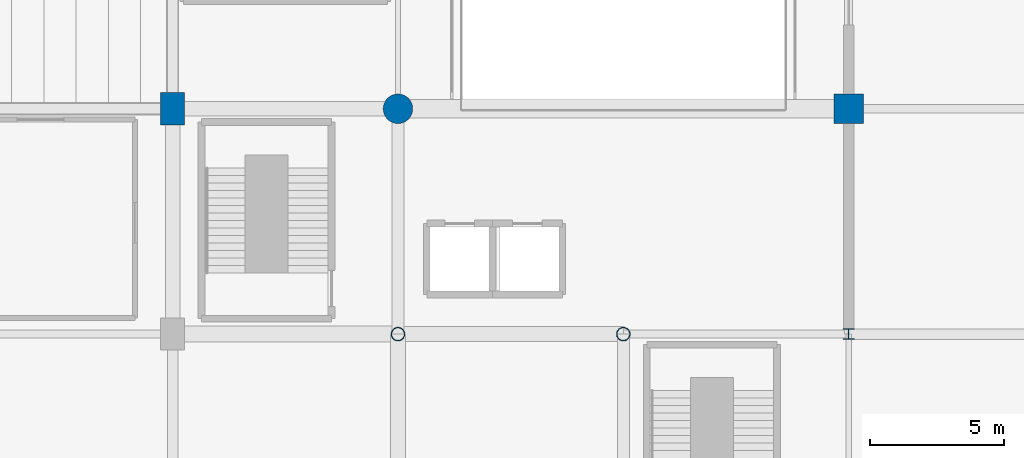
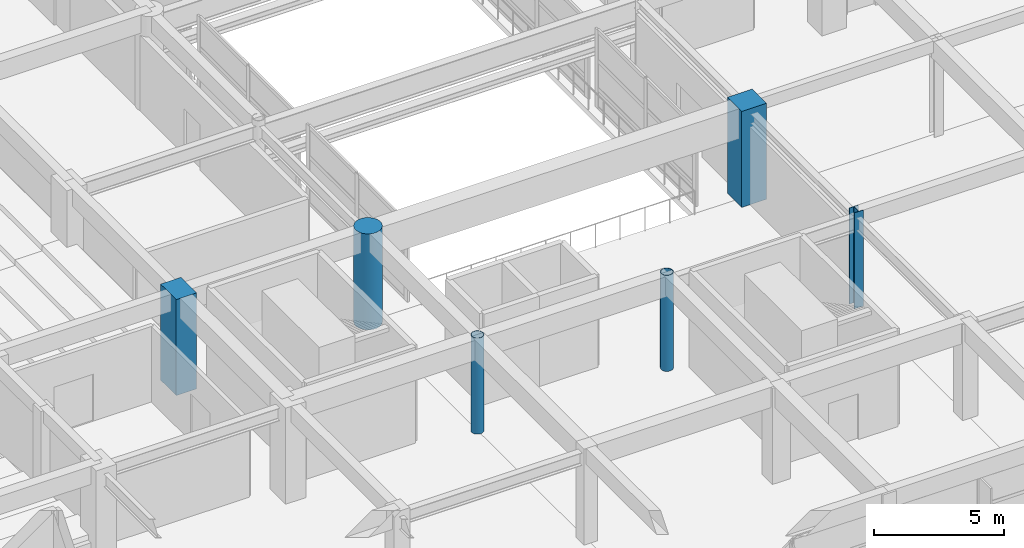
# One storey, part 2 of 62: 6 columns.
"""IFC4 building model written with IfcOpenShell, lengths in metres."""

from ifc_helpers import new_model, si_unit, direction, frame, origin, origin_2d, place, context, subcontext, project, spatial, rectangle, circle, hollow_circle, i_section, extrude, material, material_profile, profile_set, type_object, element, save


model = new_model("IFC4")

# Units and contexts
model_context = context("Model", 3, precision=1e-05, world=origin(), true_north=direction((0.0, 1.0)))
body_context = subcontext(model_context, "Body", "Model", "MODEL_VIEW")
ifc_project = project(units=[si_unit("LENGTHUNIT", "METRE"), si_unit("AREAUNIT", "SQUARE_METRE"), si_unit("VOLUMEUNIT", "CUBIC_METRE"), si_unit("PLANEANGLEUNIT", "RADIAN"), si_unit("MASSUNIT", "GRAM", prefix="KILO")], contexts=[model_context])

# Site, building, storey
site_placement = place(None, origin())
site = spatial("IfcSite", under=ifc_project, at=site_placement, CompositionType="ELEMENT")
building_placement = place(site_placement, origin())
building = spatial("IfcBuilding", under=site, at=building_placement, Name="Xuanlan Plaza Opera House", CompositionType="ELEMENT")
storey_placement = place(building_placement, frame((0.0, 0.0, 14.39990234375)))
storey = spatial("IfcBuildingStorey", under=building, at=storey_placement, Name="L03", CompositionType="ELEMENT", Elevation=14.39990234375)

# Columns
ifc_material_1 = material(Name="Concrete C50", Category="concrete")
ifc_material_profile_1 = material_profile(ifc_material_1, rectangle(XDim=1.10009765625, YDim=1.10009765625, at=origin_2d()), Name="RC-COL 1100x1100")
ifc_profile_set_1 = profile_set([ifc_material_profile_1], Name="Concrete C50")
column_type_1 = type_object("IfcColumnType", Name="STR-COL-C-03", PredefinedType="COLUMN", material=ifc_profile_set_1)
column_1_placement = place(storey_placement, frame((126.0, 42.0, 0.0), z_axis=(0.0, 0.0, 1.0), x_axis=(1.0, 0.0, 0.0)))
element("IfcColumn", 1, at=column_1_placement, inside=storey, type_object=column_type_1, Name="Column L03 16-F", PredefinedType="COLUMN", context=body_context, shape_type="SweptSolid", body=[
    extrude(rectangle(XDim=1.10009765625, YDim=1.10009765625, at=origin_2d()), origin(), (0.0, 0.0, 1.0), 4.5),
])
ifc_material_profile_2 = material_profile(ifc_material_1, rectangle(XDim=0.89990234375, YDim=1.199951171875, at=origin_2d()), Name="RC-COL 900x1200")
ifc_profile_set_2 = profile_set([ifc_material_profile_2], Name="Concrete C50")
column_type_2 = type_object("IfcColumnType", Name="STR-COL-C-10", PredefinedType="COLUMN", material=ifc_profile_set_2)
column_2_placement = place(storey_placement, frame((100.800048828125, 42.0, 0.0), z_axis=(0.0, 0.0, 1.0), x_axis=(1.0, 0.0, 0.0)))
element("IfcColumn", 2, at=column_2_placement, inside=storey, type_object=column_type_2, Name="Column L03 13-F", PredefinedType="COLUMN", context=body_context, shape_type="SweptSolid", body=[
    extrude(rectangle(XDim=0.89990234375, YDim=1.199951171875, at=origin_2d()), origin(), (0.0, 0.0, 1.0), 4.5),
])
ifc_material_profile_3 = material_profile(ifc_material_1, circle(Radius=0.550048828125, at=origin_2d()), Name="RC-COL D1100")
ifc_profile_set_3 = profile_set([ifc_material_profile_3], Name="Concrete C50")
column_type_3 = type_object("IfcColumnType", Name="STR-COL-C-11", PredefinedType="COLUMN", material=ifc_profile_set_3)
column_3_placement = place(storey_placement, frame((109.199951171875, 42.0, 0.0), z_axis=(0.0, 0.0, 1.0), x_axis=(1.0, 0.0, 0.0)))
element("IfcColumn", 3, at=column_3_placement, inside=storey, type_object=column_type_3, Name="Column L03 14-F", PredefinedType="COLUMN", context=body_context, shape_type="SweptSolid", body=[
    extrude(circle(Radius=0.550048828125, at=origin_2d()), origin(), (0.0, 0.0, 1.0), 4.5),
])
ifc_material_2 = material(Name="Steel Q355B", Category="steel")
ifc_material_profile_4 = material_profile(ifc_material_2, i_section(OverallWidth=0.39990234375, OverallDepth=0.39990234375, WebThickness=0.012939453125, FlangeThickness=0.02099609375, FilletRadius=0.02197265625, at=origin_2d()), Name="HW 400x400x13x21")
ifc_profile_set_4 = profile_set([ifc_material_profile_4], Name="Steel Q355B")
column_type_4 = type_object("IfcColumnType", Name="STR-COL-C-14", PredefinedType="COLUMN", material=ifc_profile_set_4)
column_4_placement = place(storey_placement, frame((126.0, 33.60009765625, 0.0), z_axis=(0.0, 0.0, 1.0), x_axis=(1.0, 0.0, 0.0)))
element("IfcColumn", 4, at=column_4_placement, inside=storey, type_object=column_type_4, Name="Column L03 16-E", PredefinedType="COLUMN", context=body_context, shape_type="SweptSolid", body=[
    extrude(i_section(OverallWidth=0.39990234375, OverallDepth=0.39990234375, WebThickness=0.012939453125, FlangeThickness=0.02099609375, FilletRadius=0.02197265625, at=origin_2d()), origin(), (0.0, 0.0, 1.0), 4.5),
])
ifc_material_profile_5 = material_profile(ifc_material_2, hollow_circle(Radius=0.25390625, WallThickness=0.02001953125, at=origin_2d()), Name="CHS 508x20")
ifc_profile_set_5 = profile_set([ifc_material_profile_5], Name="Steel Q355B")
column_type_5 = type_object("IfcColumnType", Name="STR-COL-C-16", PredefinedType="COLUMN", material=ifc_profile_set_5)
for number, where, z_axis, x_axis, name in (
    (5, (109.199951171875, 33.60009765625, 0.0), (0.0, 0.0, 1.0), (1.0, 0.0, 0.0), "Column L03 14-E"),
    (6, (117.60009765625, 33.60009765625, 0.0), (0.0, 0.0, 1.0), (1.0, 0.0, 0.0), "Column L03 15-E"),
):
    element("IfcColumn", number, at=place(storey_placement, frame(where, z_axis=z_axis, x_axis=x_axis)), inside=storey, type_object=column_type_5, Name=name, PredefinedType="COLUMN", context=body_context, shape_type="SweptSolid", body=[
        extrude(hollow_circle(Radius=0.25390625, WallThickness=0.02001953125, at=origin_2d()), origin(), (0.0, 0.0, 1.0), 4.5),
    ])

save(model, "model.ifc")
